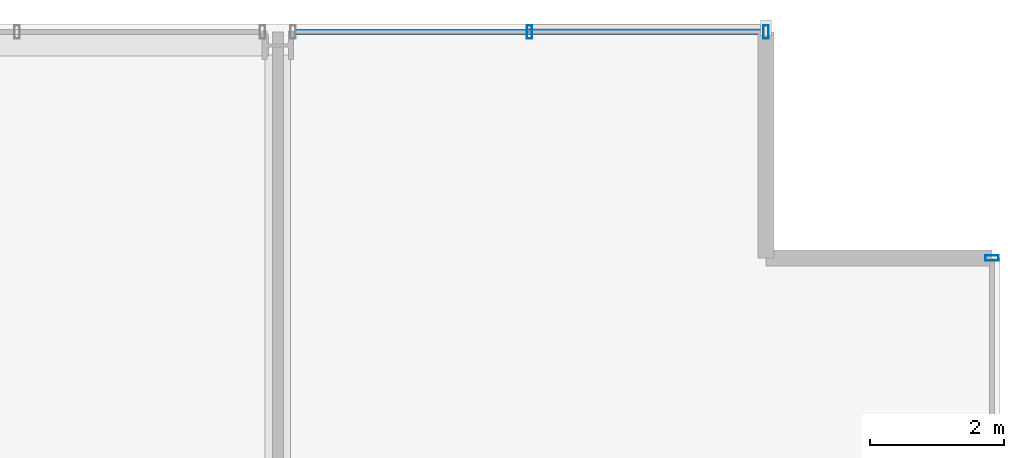
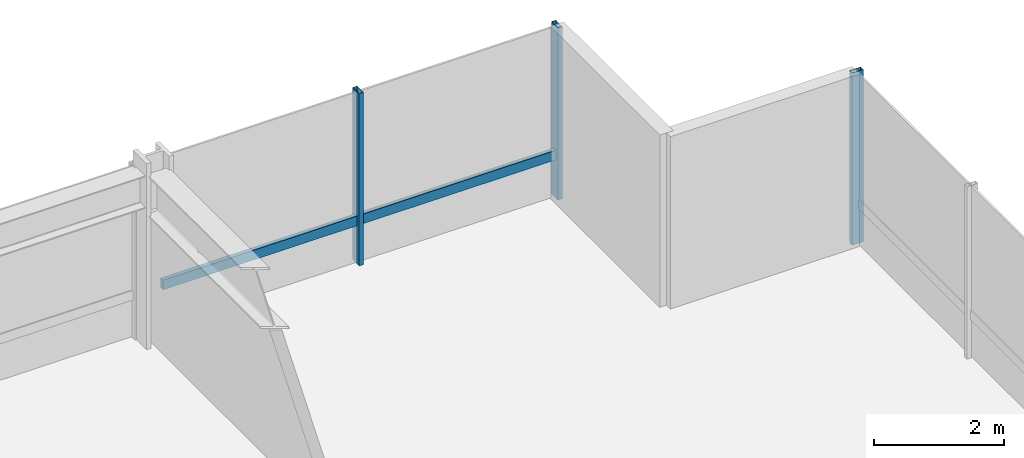
# One storey, part 28 of 38: 4 members, 2 elements without a shape of their own.
"""IFC4 building model written with IfcOpenShell, lengths in metres."""

from ifc_helpers import new_model, si_unit, direction, frame, origin, origin_2d, place, context, subcontext, project, spatial, hollow_rectangle, extrude, material, layer, layer_set, material_profile, profile_set, type_object, element, aggregate, save


model = new_model("IFC4")

# Units and contexts
model_context = context("Model", 3, precision=1e-05, world=origin(), true_north=direction((0.0, 1.0)))
body_context = subcontext(model_context, "Body", "Model", "MODEL_VIEW")
ifc_project = project(units=[si_unit("LENGTHUNIT", "METRE"), si_unit("AREAUNIT", "SQUARE_METRE"), si_unit("VOLUMEUNIT", "CUBIC_METRE"), si_unit("PLANEANGLEUNIT", "RADIAN"), si_unit("MASSUNIT", "GRAM", prefix="KILO")], contexts=[model_context])

# Site, building, storey
site_placement = place(None, origin())
site = spatial("IfcSite", under=ifc_project, at=site_placement, CompositionType="ELEMENT")
building_placement = place(site_placement, origin())
building = spatial("IfcBuilding", under=site, at=building_placement, Name="Drelvath Grand Hotel", CompositionType="ELEMENT")
storey_placement = place(building_placement, frame((0.0, 0.0, 61.199951171875)))
storey = spatial("IfcBuildingStorey", under=building, at=storey_placement, Name="L14", CompositionType="ELEMENT", Elevation=61.199951171875)

# Curtain wall, member
ifc_material = material(Name="Warm Bronze Anodised Aluminium Frame", Category="aluminium")
ifc_layer = layer(ifc_material, 0.199951171875)
ifc_layer_set = layer_set([ifc_layer], Name="Warm Bronze Anodised Aluminium Frame")
curtain_wall_type = type_object("IfcCurtainWallType", Name="Stick Curtain Wall CW-02 Warm Bronze Low-Rise", PredefinedType="NOTDEFINED", material=ifc_layer_set)
curtain_wall_1_placement = place(storey_placement, origin())
curtain_wall_1 = element("IfcCurtainWall", 1, at=curtain_wall_1_placement, inside=storey, type_object=curtain_wall_type, Name="L14 CW-02 Curtain Wall CW02-L14-NE3", PredefinedType="NOTDEFINED")
ifc_material_profile_1 = material_profile(ifc_material, hollow_rectangle(XDim=0.074951171875, YDim=0.179931640625, WallThickness=0.0048828125, at=origin_2d()), Name="HSS180X75X5")
ifc_profile_set_1 = profile_set([ifc_material_profile_1], Name="Warm Bronze Anodised Aluminium Frame")
member_type_1 = type_object("IfcMemberType", Name="Curtain Wall Horizontal Transom CW-02 HSS180X75X5", PredefinedType="USERDEFINED", material=ifc_profile_set_1)
member_1_placement = place(storey_placement, frame((16.468994140625, 53.8798828125, 0.81005859375), z_axis=(1.0, 0.0, 0.0), x_axis=(0.0, 1.0, 0.0)))
member_1 = element("IfcMember", 2, at=member_1_placement, type_object=member_type_1, Name="CW02-L14-NE3 Sill Transom", ObjectType="TRANSOM", PredefinedType="USERDEFINED", context=body_context, shape_type="SweptSolid", body=[
    extrude(hollow_rectangle(XDim=0.074951171875, YDim=0.179931640625, WallThickness=0.0048828125, at=origin_2d()), origin(), (0.0, 0.0, 1.0), 6.990966796875),
])

curtain_wall_2_placement = place(storey_placement, origin())
curtain_wall_2 = element("IfcCurtainWall", 3, at=curtain_wall_2_placement, inside=storey, type_object=curtain_wall_type, Name="L14 CW-02 Curtain Wall CW02-L14-EN3", PredefinedType="NOTDEFINED")
ifc_material_profile_2 = material_profile(ifc_material, hollow_rectangle(XDim=0.080078125, YDim=0.199951171875, WallThickness=0.0048828125, at=origin_2d()), Name="HSS200X80X5")
ifc_profile_set_2 = profile_set([ifc_material_profile_2], Name="Warm Bronze Anodised Aluminium Frame")
member_type_2 = type_object("IfcMemberType", Name="Curtain Wall Vertical Mullion CW-02 HSS200X80X5", PredefinedType="MULLION", material=ifc_profile_set_2)
member_2_placement = place(storey_placement, frame((26.8798828125, 50.5, 0.0), z_axis=(0.0, 0.0, 1.0), x_axis=(0.0, 1.0, 0.0)))
member_2 = element("IfcMember", 4, at=member_2_placement, type_object=member_type_2, Name="CW02-L14-EN3 Mullion 1", PredefinedType="MULLION", context=body_context, shape_type="SweptSolid", body=[
    extrude(hollow_rectangle(XDim=0.080078125, YDim=0.199951171875, WallThickness=0.0048828125, at=origin_2d()), origin(), (0.0, 0.0, 1.0), 3.239990234375),
])
aggregate(curtain_wall_2, [member_2])

# Member
member_3_placement = place(storey_placement, frame((19.964599609375, 53.8798828125, 0.0), z_axis=(0.0, 0.0, 1.0), x_axis=(1.0, 0.0, 0.0)))
member_3 = element("IfcMember", 5, at=member_3_placement, type_object=member_type_2, Name="CW02-L14-NE3 Mullion 2", PredefinedType="MULLION", context=body_context, shape_type="SweptSolid", body=[
    extrude(hollow_rectangle(XDim=0.080078125, YDim=0.199951171875, WallThickness=0.0048828125, at=origin_2d()), origin(), (0.0, 0.0, 1.0), 3.239990234375),
])

member_4_placement = place(storey_placement, frame((23.5, 53.8798828125, 0.0), z_axis=(0.0, 0.0, 1.0), x_axis=(1.0, 0.0, 0.0)))
member_4 = element("IfcMember", 6, at=member_4_placement, type_object=member_type_2, Name="CW02-L14-NE3 Mullion 3", PredefinedType="MULLION", context=body_context, shape_type="SweptSolid", body=[
    extrude(hollow_rectangle(XDim=0.080078125, YDim=0.199951171875, WallThickness=0.0048828125, at=origin_2d()), origin(), (0.0, 0.0, 1.0), 3.239990234375),
])

aggregate(curtain_wall_1, [member_3, member_4, member_1])

save(model, "model.ifc")
